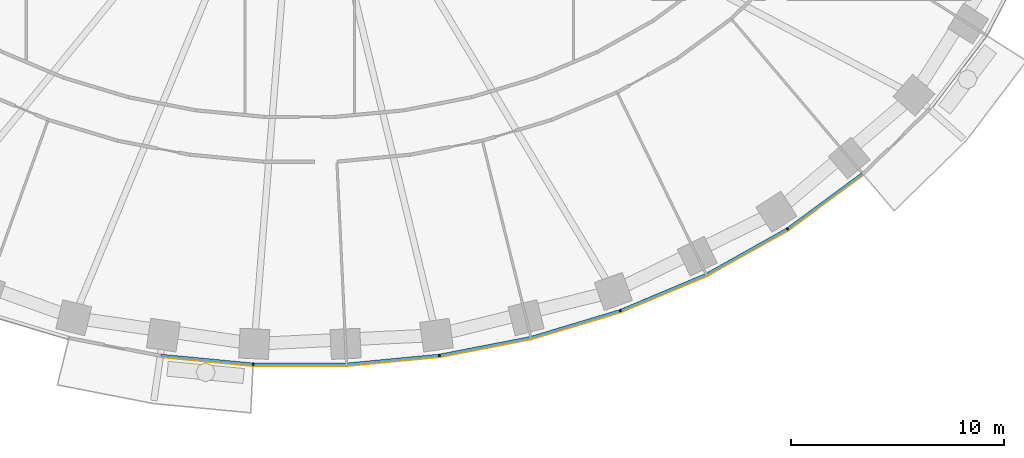
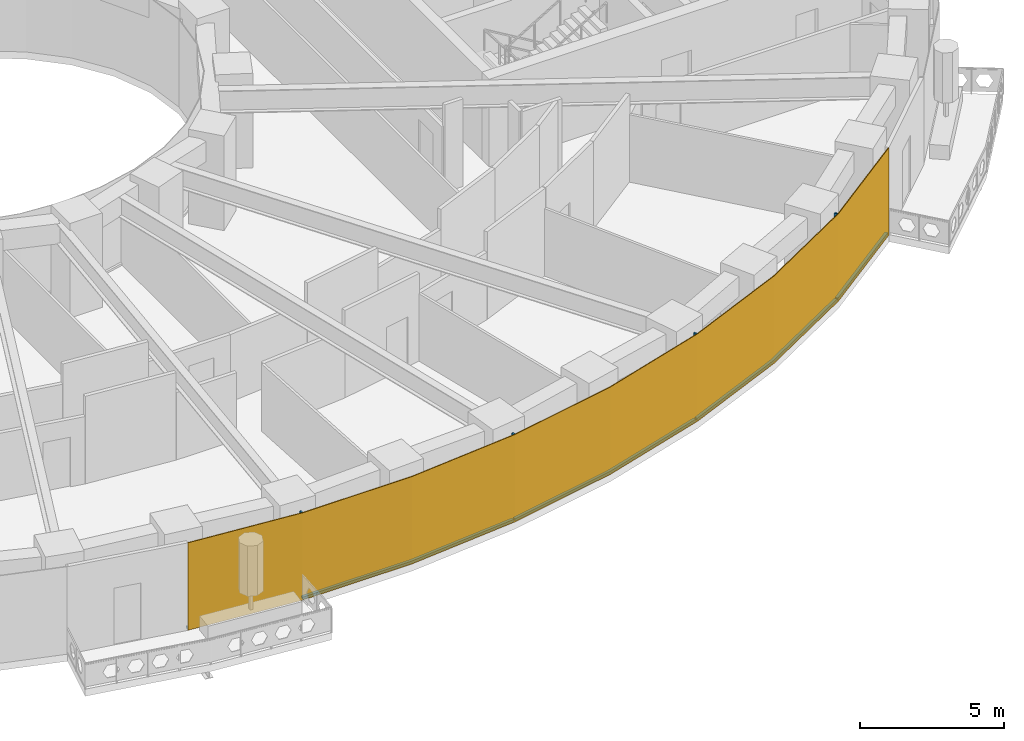
# One storey, part 9 of 16: 9 members, 1 curtain wall.
"""IFC4 building model written with IfcOpenShell, lengths in metres."""

from ifc_helpers import new_model, si_unit, direction, frame, origin, origin_2d, place, context, subcontext, project, spatial, polyline, rectangle, outline, extrude, material, layer, layer_set, material_profile, profile_set, type_object, element, aggregate, save


model = new_model("IFC4")

# Units and contexts
model_context = context("Model", 3, precision=1e-05, world=origin(), true_north=direction((0.0, 1.0)))
body_context = subcontext(model_context, "Body", "Model", "MODEL_VIEW")
ifc_project = project(units=[si_unit("LENGTHUNIT", "METRE"), si_unit("AREAUNIT", "SQUARE_METRE"), si_unit("VOLUMEUNIT", "CUBIC_METRE"), si_unit("PLANEANGLEUNIT", "RADIAN"), si_unit("MASSUNIT", "GRAM", prefix="KILO")], contexts=[model_context])

# Member
ifc_material_1 = material(Name="Aluminium 6063-T6 black anodised", Category="aluminium")
ifc_material_profile = material_profile(ifc_material_1, rectangle(XDim=0.1201171875, YDim=0.06005859375, at=origin_2d()), Name="120x60")
ifc_profile_set = profile_set([ifc_material_profile], Name="Aluminium 6063-T6 black anodised")
member_type_1 = type_object("IfcMemberType", Name="ENV-MULLION-A-120", PredefinedType="MULLION", material=ifc_profile_set)
site_placement = place(None, origin())
building_placement = place(site_placement, origin())
storey_placement = place(building_placement, frame((0.0, 0.0, 70.5)))
member_1_placement = place(storey_placement, frame((-2.188720703125, -27.856201171875, 0.0), z_axis=(0.0, 0.0, 1.0), x_axis=(0.047557873581, 0.998868484166, 0.0)))
member_1 = element("IfcMember", 1, at=member_1_placement, type_object=member_type_1, Name="Mullion A radial 35", PredefinedType="MULLION", context=body_context, shape_type="SweptSolid", body=[
    extrude(rectangle(XDim=0.1201171875, YDim=0.06005859375, at=origin_2d()), origin(), (0.0, 0.0, 1.0), 3.699951171875),
])

member_2_placement = place(storey_placement, frame((6.54638671875, -27.440185546875, 0.0), z_axis=(0.0, 0.0, 1.0), x_axis=(-0.143082012705, 0.989710835366, 0.0)))
member_2 = element("IfcMember", 2, at=member_2_placement, type_object=member_type_1, Name="Mullion A radial 37", PredefinedType="MULLION", context=body_context, shape_type="SweptSolid", body=[
    extrude(rectangle(XDim=0.1201171875, YDim=0.06005859375, at=origin_2d()), origin(), (0.0, 0.0, 1.0), 3.699951171875),
])

member_3_placement = place(storey_placement, frame((15.0341796875, -25.34375, 0.0), z_axis=(0.0, 0.0, 1.0), x_axis=(-0.338379256581, 0.941009818608, 0.0)))
member_3 = element("IfcMember", 3, at=member_3_placement, type_object=member_type_1, Name="Mullion A radial 39", PredefinedType="MULLION", context=body_context, shape_type="SweptSolid", body=[
    extrude(rectangle(XDim=0.1201171875, YDim=0.06005859375, at=origin_2d()), origin(), (0.0, 0.0, 1.0), 3.699951171875),
])

member_4_placement = place(storey_placement, frame((22.882568359375, -21.506591796875, 0.0), z_axis=(0.0, 0.0, 1.0), x_axis=(-0.542279153225, 0.840198381323, 0.0)))
member_4 = element("IfcMember", 4, at=member_4_placement, type_object=member_type_1, Name="Mullion A radial 41", PredefinedType="MULLION", context=body_context, shape_type="SweptSolid", body=[
    extrude(rectangle(XDim=0.1201171875, YDim=0.06005859375, at=origin_2d()), origin(), (0.0, 0.0, 1.0), 3.699951171875),
])

ifc_material_2 = material(Name="Aluminium 6063-T6 black anodised", Category="aluminium")
member_type_2 = type_object("IfcMemberType", Name="ENV-TRANSOM-A", PredefinedType="USERDEFINED", material=ifc_material_2)
member_5_placement = place(storey_placement, origin())
member_5 = element("IfcMember", 5, at=member_5_placement, type_object=member_type_2, Name="Transom A radial 34-35", ObjectType="TRANSOM", PredefinedType="USERDEFINED", context=body_context, shape_type="SweptSolid", body=[
    extrude(outline(polyline([(-6.53515625, -27.50146484375), (-2.219482421875, -27.913330078125), (-2.2138671875, -27.793212890625), (-6.51806640625, -27.382568359375), (-6.53515625, -27.50146484375)])), origin(), (0.0, 0.0, 1.0), 0.10009765625),
])

member_6_placement = place(storey_placement, origin())
member_6 = element("IfcMember", 6, at=member_6_placement, type_object=member_type_2, Name="Transom A radial 35-37", ObjectType="TRANSOM", PredefinedType="USERDEFINED", context=body_context, shape_type="SweptSolid", body=[
    extrude(outline(polyline([(-2.163818359375, -27.916015625), (2.191650390625, -27.916015625), (6.527099609375, -27.502197265625), (6.510009765625, -27.38330078125), (2.185791015625, -27.7958984375), (-2.157958984375, -27.7958984375), (-2.163818359375, -27.916015625)])), origin(), (0.0, 0.0, 1.0), 0.10009765625),
])

member_7_placement = place(storey_placement, origin())
member_7 = element("IfcMember", 7, at=member_7_placement, type_object=member_type_2, Name="Transom A radial 37-39", ObjectType="TRANSOM", PredefinedType="USERDEFINED", context=body_context, shape_type="SweptSolid", body=[
    extrude(outline(polyline([(6.58251953125, -27.494140625), (10.857666015625, -26.6630859375), (15.027587890625, -25.408203125), (14.987060546875, -25.295166015625), (10.828857421875, -26.54638671875), (6.5654296875, -27.375244140625), (6.58251953125, -27.494140625)])), origin(), (0.0, 0.0, 1.0), 0.10009765625),
])

member_8_placement = place(storey_placement, origin())
member_8 = element("IfcMember", 8, at=member_8_placement, type_object=member_type_2, Name="Transom A radial 39-41", ObjectType="TRANSOM", PredefinedType="USERDEFINED", context=body_context, shape_type="SweptSolid", body=[
    extrude(outline(polyline([(15.080322265625, -25.389404296875), (19.093994140625, -23.701416015625), (22.890625, -21.570556640625), (22.825439453125, -21.469482421875), (19.041259765625, -23.593505859375), (15.03955078125, -25.276123046875), (15.080322265625, -25.389404296875)])), origin(), (0.0, 0.0, 1.0), 0.10009765625),
])

member_9_placement = place(storey_placement, origin())
member_9 = element("IfcMember", 9, at=member_9_placement, type_object=member_type_2, Name="Transom A radial 41-42", ObjectType="TRANSOM", PredefinedType="USERDEFINED", context=body_context, shape_type="SweptSolid", body=[
    extrude(outline(polyline([(22.937744140625, -21.540283203125), (26.42626953125, -18.970703125), (26.348388671875, -18.87890625), (22.87255859375, -21.439208984375), (22.937744140625, -21.540283203125)])), origin(), (0.0, 0.0, 1.0), 0.10009765625),
])

# Site, building, storey
site = spatial("IfcSite", under=ifc_project, at=site_placement, CompositionType="ELEMENT")
building = spatial("IfcBuilding", under=site, at=building_placement, Name="Noorbagh Ring Tower", CompositionType="ELEMENT")
storey = spatial("IfcBuildingStorey", under=building, at=storey_placement, Name="L15", CompositionType="ELEMENT", Elevation=70.5)

# Curtain wall
ifc_material_3 = material(Name="Glass dark tinted laminated", Category="glass")
ifc_layer = layer(ifc_material_3, 0.031982421875)
ifc_layer_set = layer_set([ifc_layer], Name="Glass dark tinted laminated")
curtain_wall_type = type_object("IfcCurtainWallType", Name="ENV-CW-A", PredefinedType="NOTDEFINED", material=ifc_layer_set)
curtain_wall_placement = place(storey_placement, origin())
curtain_wall = element("IfcCurtainWall", 10, at=curtain_wall_placement, inside=storey, type_object=curtain_wall_type, Name="Curtain wall A R34", PredefinedType="NOTDEFINED", context=body_context, shape_type="SweptSolid", body=[
    extrude(outline(polyline([(-6.539794921875, -27.533203125), (-2.193115234375, -27.947998046875), (2.193115234375, -27.947998046875), (6.559814453125, -27.53125), (10.865234375, -26.6943359375), (15.065185546875, -25.430419921875), (19.108154296875, -23.730224609375), (22.9326171875, -21.583740234375), (26.447021484375, -18.9951171875), (26.42626953125, -18.970703125), (22.9150390625, -21.556884765625), (19.093994140625, -23.701416015625), (15.054443359375, -25.400146484375), (10.857666015625, -26.6630859375), (6.55517578125, -27.49951171875), (2.191650390625, -27.916015625), (-2.191650390625, -27.916015625), (-6.53515625, -27.50146484375), (-6.539794921875, -27.533203125)])), origin(), (0.0, 0.0, 1.0), 3.699951171875),
])

aggregate(curtain_wall, [member_1, member_2, member_3, member_4, member_5, member_6, member_7, member_8, member_9])

save(model, "model.ifc")
